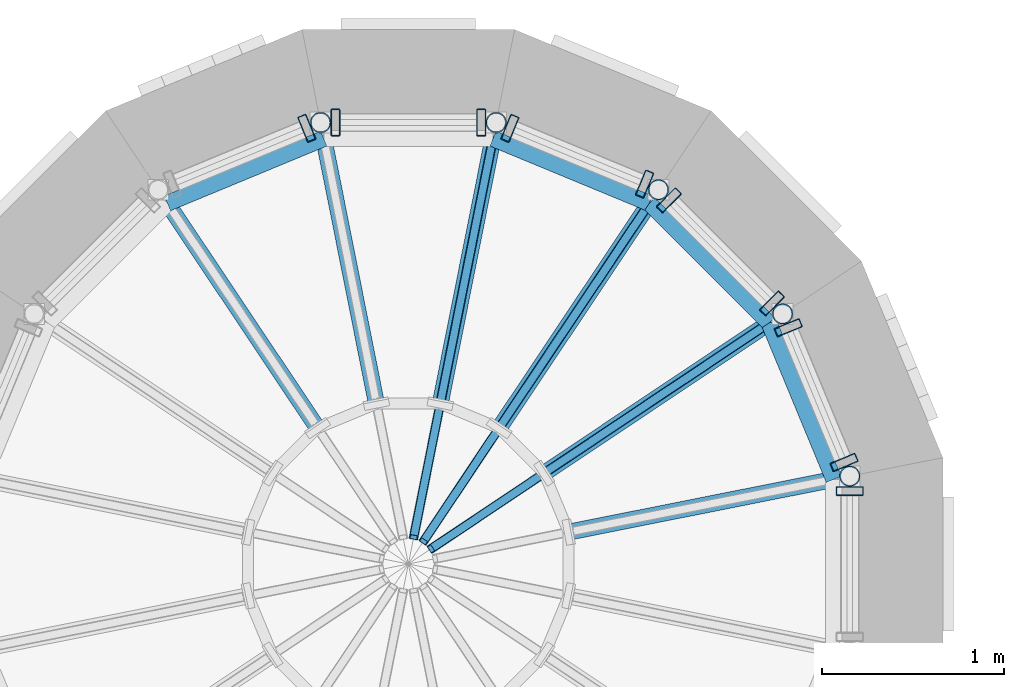
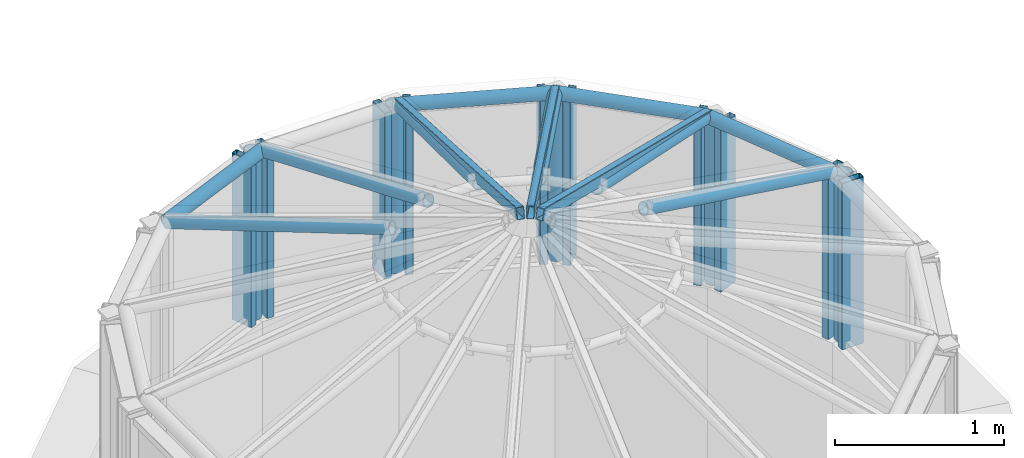
# One storey, part 5 of 36: 28 members, 6 elements without a shape of their own.
"""IFC4 building model written with IfcOpenShell, lengths in metres."""

import ifcopenshell
import ifcopenshell.guid

model = None  # the IFC model being written
_history = None  # IfcOwnerHistory: only IFC2X3 demands one
_inside = {}  # id of a spatial element -> (the spatial element, [elements in it])
_under = {}  # id of a project, library or spatial element -> (it, [spatial elements below it])
_declared = {}  # id of a project -> (the project, [libraries it declares])
_typed = {}  # id of a type object -> (the type object, [elements of that type])
_made_of = {}  # id of a material, layer set ... -> (it, [elements and type objects made of it])


def new_model(schema):
    """Start an empty IFC model of exactly this schema.

    Asked for "IFC4X3", IfcOpenShell would pick the latest addendum, in which some entities
    have other attributes; the version numbers below select the first issue.
    IFC2X3 requires an IfcOwnerHistory on every rooted entity: one is made here for all.
    """
    global model, _history
    if schema == "IFC4X3":
        model = ifcopenshell.file(schema_version=(4, 3, 0, 0))
    else:
        model = ifcopenshell.file(schema=schema)
    _inside.clear()
    _under.clear()
    _declared.clear()
    _typed.clear()
    _made_of.clear()
    _history = None
    if model.schema == "IFC2X3":
        org = make("IfcOrganization", Name="unknown")
        user = make(
            "IfcPersonAndOrganization",
            ThePerson=make("IfcPerson", FamilyName="unknown"),
            TheOrganization=org,
        )
        app = make(
            "IfcApplication",
            ApplicationDeveloper=org,
            Version="unknown",
            ApplicationFullName="unknown",
            ApplicationIdentifier="unknown",
        )
        _history = make(
            "IfcOwnerHistory",
            OwningUser=user,
            OwningApplication=app,
            ChangeAction="ADDED",
            CreationDate=0,
        )
    return model


def make(cls, **values):
    """One entity of the class cls with the attributes given. An attribute that is None is left unset."""
    return model.create_entity(
        cls, **{name: value for name, value in values.items() if value is not None}
    )


def rooted(cls, **values):
    """An entity with a GlobalId (a new one), such as an element, a storey or a relation."""
    return make(cls, GlobalId=ifcopenshell.guid.new(), OwnerHistory=_history, **values)


def si_unit(unit_type, name, prefix=None):
    """IfcSIUnit, for example si_unit("LENGTHUNIT", "METRE", prefix="MILLI")."""
    return make("IfcSIUnit", UnitType=unit_type, Prefix=prefix, Name=name)


def assignment(units):
    """IfcUnitAssignment: the units of a project."""
    return None if units is None else make("IfcUnitAssignment", Units=units)


def point(xyz):
    """IfcCartesianPoint."""
    return None if xyz is None else make("IfcCartesianPoint", Coordinates=xyz)


def direction(xyz):
    """IfcDirection."""
    return None if xyz is None else make("IfcDirection", DirectionRatios=xyz)


def frame(location, z_axis=None, x_axis=None):
    """IfcAxis2Placement3D, a coordinate frame: its origin and axes. An axis left out is left unset."""
    return make(
        "IfcAxis2Placement3D",
        Location=point(location),
        Axis=direction(z_axis),
        RefDirection=direction(x_axis),
    )


def frame_2d(location, x_axis=None):
    """IfcAxis2Placement2D, a coordinate frame in the plane: its origin and x axis."""
    return make(
        "IfcAxis2Placement2D", Location=point(location), RefDirection=direction(x_axis)
    )


def origin():
    """The frame at (0, 0, 0) with its axes left unset."""
    return frame((0.0, 0.0, 0.0))


def origin_2d():
    """The frame at (0, 0) in the plane with its x axis left unset."""
    return frame_2d((0.0, 0.0))


def place(relative_to, where):
    """IfcLocalPlacement: puts the frame where relative to a parent placement (None: the world)."""
    return make(
        "IfcLocalPlacement", PlacementRelTo=relative_to, RelativePlacement=where
    )


def context(
    kind, dimensions, precision=None, world=None, true_north=None, identifier=None
):
    """IfcGeometricRepresentationContext, for example the 3D "Model" context."""
    return make(
        "IfcGeometricRepresentationContext",
        ContextIdentifier=identifier,
        ContextType=kind,
        CoordinateSpaceDimension=dimensions,
        Precision=precision,
        WorldCoordinateSystem=world,
        TrueNorth=true_north,
    )


def subcontext(parent, identifier, kind, view, scale=None):
    """IfcGeometricRepresentationSubContext, for example "Body" below "Model"."""
    return make(
        "IfcGeometricRepresentationSubContext",
        ContextIdentifier=identifier,
        ContextType=kind,
        ParentContext=parent,
        TargetScale=scale,
        TargetView=view,
    )


def project(units=None, contexts=None):
    """IfcProject with its units and contexts."""
    return rooted(
        "IfcProject",
        Name="project",
        RepresentationContexts=contexts,
        UnitsInContext=assignment(units),
    )


def spatial(cls, under=None, at=None, **own):
    """A site, building, storey or space (cls), placed at a placement, below another one or the project."""
    s = rooted(cls, ObjectPlacement=at, **own)
    if under is not None:
        _under.setdefault(under.id(), (under, []))[1].append(s)
    return s


def profile(cls, at=None, kind="AREA", **sizes):
    """A parametric profile (cls). Its sizes go by their IFC names, for example OverallWidth=200.0."""
    return make(cls, ProfileType=kind, Position=at, **sizes)


def hollow_rectangle(**sizes):
    """IfcRectangleHollowProfileDef."""
    return profile("IfcRectangleHollowProfileDef", **sizes)


def hollow_circle(**sizes):
    """IfcCircleHollowProfileDef."""
    return profile("IfcCircleHollowProfileDef", **sizes)


def extrude(swept, where, along, depth):
    """IfcExtrudedAreaSolid: the profile swept, set in the frame where, extruded along a direction by depth."""
    return make(
        "IfcExtrudedAreaSolid",
        SweptArea=swept,
        Position=where,
        ExtrudedDirection=direction(along),
        Depth=depth,
    )


def shape(context_of_items, identifier, shape_type, items):
    """IfcShapeRepresentation: the items that make up one representation, for example the "Body"."""
    return make(
        "IfcShapeRepresentation",
        ContextOfItems=context_of_items,
        RepresentationIdentifier=identifier,
        RepresentationType=shape_type,
        Items=items,
    )


def material(Name=None, Category=None):
    """IfcMaterial."""
    return make("IfcMaterial", Name=Name, Category=Category)


def material_profile(
    of_material, cross_section, Name=None, Category=None, Priority=None
):
    """IfcMaterialProfile: a cross section and its material."""
    return make(
        "IfcMaterialProfile",
        Name=Name,
        Material=of_material,
        Profile=cross_section,
        Priority=Priority,
        Category=Category,
    )


def profile_set(profiles, Name=None, composite=None):
    """IfcMaterialProfileSet."""
    return make(
        "IfcMaterialProfileSet",
        Name=Name,
        MaterialProfiles=profiles,
        CompositeProfile=composite,
    )


def made_of(thing, what):
    """Note that an element or type object is made of a material, layer set ...; save() writes the relation."""
    if what is not None:
        _made_of.setdefault(what.id(), (what, []))[1].append(thing)
    return thing


def type_object(cls, material=None, **own):
    """A type object (cls), such as IfcWallType, which elements share."""
    return made_of(rooted(cls, **own), material)


def element(
    cls,
    number,
    at=None,
    inside=None,
    cuts=None,
    type_object=None,
    material=None,
    context=None,
    identifier="Body",
    shape_type=None,
    held_by="IfcProductDefinitionShape",
    body=None,
    shapes=None,
    **own,
):
    """One element of the class cls, such as IfcWall. Its Tag is "e" and its number.

    at: its placement. inside: the storey or other place that contains it. cuts: it is an
    opening in that element (IfcRelVoidsElement). A single representation is given by context,
    identifier, shape_type and body (its items); several are given by shapes. held_by: the class
    of the entity that holds the representations. save() writes the other relations.
    """
    e = rooted(cls, Tag="e%d" % number, ObjectPlacement=at, **own)
    if body is not None:
        shapes = [shape(context, identifier, shape_type, body)]
    if shapes is not None:
        e.Representation = make(held_by, Representations=shapes)
    if inside is not None:
        _inside.setdefault(inside.id(), (inside, []))[1].append(e)
    if cuts is not None:
        rooted(
            "IfcRelVoidsElement", RelatingBuildingElement=cuts, RelatedOpeningElement=e
        )
    if type_object is not None:
        _typed.setdefault(type_object.id(), (type_object, []))[1].append(e)
    return made_of(e, material)


def aggregate(whole, parts):
    """IfcRelAggregates: a whole, such as a stair, and the parts it consists of."""
    return rooted("IfcRelAggregates", RelatingObject=whole, RelatedObjects=parts)


def save(model, path):
    """Write the relations noted so far, then the file.

    IfcRelAggregates (storeys below a building ...), IfcRelContainedInSpatialStructure (elements
    in a storey), IfcRelDefinesByType, IfcRelAssociatesMaterial and IfcRelDeclares: one each for
    every whole, place, type object, material and project.
    """
    for whole, parts in _under.values():
        aggregate(whole, parts)
    for where, things in _inside.values():
        rooted(
            "IfcRelContainedInSpatialStructure",
            RelatedElements=things,
            RelatingStructure=where,
        )
    for kind, things in _typed.values():
        rooted("IfcRelDefinesByType", RelatedObjects=things, RelatingType=kind)
    for what, things in _made_of.values():
        rooted("IfcRelAssociatesMaterial", RelatedObjects=things, RelatingMaterial=what)
    for by, libraries in _declared.values():
        rooted("IfcRelDeclares", RelatingContext=by, RelatedDefinitions=libraries)
    model.write(path)


model = new_model("IFC4")

# Units and contexts
model_context = context("Model", 3, precision=1e-05, world=origin(), true_north=direction((0.0, 1.0)))
body_context = subcontext(model_context, "Body", "Model", "MODEL_VIEW")
ifc_project = project(units=[si_unit("LENGTHUNIT", "METRE"), si_unit("AREAUNIT", "SQUARE_METRE"), si_unit("VOLUMEUNIT", "CUBIC_METRE"), si_unit("PLANEANGLEUNIT", "RADIAN"), si_unit("MASSUNIT", "GRAM", prefix="KILO")], contexts=[model_context])

# Site, building, storey
site_placement = place(None, origin())
site = spatial("IfcSite", under=ifc_project, at=site_placement, CompositionType="ELEMENT")
building_placement = place(site_placement, origin())
building = spatial("IfcBuilding", under=site, at=building_placement, Name="Sun Court Science Centre", CompositionType="ELEMENT")
storey_placement = place(building_placement, frame((0.0, 0.0, 24.75)))
storey = spatial("IfcBuildingStorey", under=building, at=storey_placement, Name="L05", CompositionType="ELEMENT", Elevation=24.75)

# Curtain wall, members
ifc_material_1 = material(Name="Aluminium EN AW-6063 T6", Category="aluminium")
curtain_wall_type = type_object("IfcCurtainWallType", Name="Lantern clerestory curtain wall 1500", PredefinedType="NOTDEFINED", material=ifc_material_1)
curtain_wall_1_placement = place(storey_placement, origin())
curtain_wall_1 = element("IfcCurtainWall", 1, at=curtain_wall_1_placement, inside=storey, type_object=curtain_wall_type, Name="Curtain wall V2 C4 clerestory L05 01", PredefinedType="NOTDEFINED")
ifc_material_2 = material(Name="Aluminium EN AW-6063 T6", Category="aluminium")
ifc_material_profile_1 = material_profile(ifc_material_2, hollow_rectangle(XDim=0.050048828125, YDim=0.14990234375, WallThickness=0.00390625, InnerFilletRadius=0.00390625, OuterFilletRadius=0.006103515625, at=origin_2d()), Name="AL 50x150x4")
ifc_profile_set_1 = profile_set([ifc_material_profile_1], Name="Aluminium EN AW-6063 T6")
member_type_1 = type_object("IfcMemberType", Name="Curtain wall mullion AL 50x150", PredefinedType="MULLION", material=ifc_profile_set_1)
member_1_placement = place(storey_placement, frame((44.399169921875, 24.75927734375, 1.75), z_axis=(0.0, 0.0, 1.0), x_axis=(0.382683432365, -0.923879532511, 0.0)))
member_1 = element("IfcMember", 2, at=member_1_placement, type_object=member_type_1, Name="CW4-49 mullion 2", PredefinedType="MULLION", context=body_context, shape_type="SweptSolid", body=[
    extrude(hollow_rectangle(XDim=0.050048828125, YDim=0.14990234375, WallThickness=0.00390625, InnerFilletRadius=0.00390625, OuterFilletRadius=0.006103515625, at=origin_2d()), origin(), (0.0, 0.0, 1.0), 1.199951171875),
])
member_2_placement = place(storey_placement, frame((44.092041015625, 25.5009765625, 1.75), z_axis=(0.0, 0.0, 1.0), x_axis=(0.382683432365, -0.923879532511, 0.0)))
member_2 = element("IfcMember", 3, at=member_2_placement, type_object=member_type_1, Name="CW4-49 mullion 1", PredefinedType="MULLION", context=body_context, shape_type="SweptSolid", body=[
    extrude(hollow_rectangle(XDim=0.050048828125, YDim=0.14990234375, WallThickness=0.00390625, InnerFilletRadius=0.00390625, OuterFilletRadius=0.006103515625, at=origin_2d()), origin(), (0.0, 0.0, 1.0), 1.199951171875),
])
aggregate(curtain_wall_1, [member_1, member_2])

curtain_wall_2_placement = place(storey_placement, origin())
curtain_wall_2 = element("IfcCurtainWall", 4, at=curtain_wall_2_placement, inside=storey, type_object=curtain_wall_type, Name="Curtain wall V2 C4 clerestory L05 02", PredefinedType="NOTDEFINED")
member_3_placement = place(storey_placement, frame((43.434814453125, 26.202392578125, 1.75), z_axis=(0.0, 0.0, 1.0), x_axis=(0.707106781187, -0.707106781187, 0.0)))
member_3 = element("IfcMember", 5, at=member_3_placement, type_object=member_type_1, Name="CW4-50 mullion 1", PredefinedType="MULLION", context=body_context, shape_type="SweptSolid", body=[
    extrude(hollow_rectangle(XDim=0.050048828125, YDim=0.14990234375, WallThickness=0.00390625, InnerFilletRadius=0.00390625, OuterFilletRadius=0.006103515625, at=origin_2d()), origin(), (0.0, 0.0, 1.0), 1.199951171875),
])
member_4_placement = place(storey_placement, frame((44.00244140625, 25.635009765625, 1.75), z_axis=(0.0, 0.0, 1.0), x_axis=(0.707106781187, -0.707106781187, 0.0)))
member_4 = element("IfcMember", 6, at=member_4_placement, type_object=member_type_1, Name="CW4-50 mullion 2", PredefinedType="MULLION", context=body_context, shape_type="SweptSolid", body=[
    extrude(hollow_rectangle(XDim=0.050048828125, YDim=0.14990234375, WallThickness=0.00390625, InnerFilletRadius=0.00390625, OuterFilletRadius=0.006103515625, at=origin_2d()), origin(), (0.0, 0.0, 1.0), 1.199951171875),
])
aggregate(curtain_wall_2, [member_3, member_4])

curtain_wall_3_placement = place(storey_placement, origin())
curtain_wall_3 = element("IfcCurtainWall", 7, at=curtain_wall_3_placement, inside=storey, type_object=curtain_wall_type, Name="Curtain wall V2 C4 clerestory L05 03", PredefinedType="NOTDEFINED")
member_5_placement = place(storey_placement, frame((42.559326171875, 26.59912109375, 1.75), z_axis=(0.0, 0.0, 1.0), x_axis=(0.923879532511, -0.382683432365, 0.0)))
member_5 = element("IfcMember", 8, at=member_5_placement, type_object=member_type_1, Name="CW4-51 mullion 1", PredefinedType="MULLION", context=body_context, shape_type="SweptSolid", body=[
    extrude(hollow_rectangle(XDim=0.050048828125, YDim=0.14990234375, WallThickness=0.00390625, InnerFilletRadius=0.00390625, OuterFilletRadius=0.006103515625, at=origin_2d()), origin(), (0.0, 0.0, 1.0), 1.199951171875),
])
member_6_placement = place(storey_placement, frame((43.301025390625, 26.2919921875, 1.75), z_axis=(0.0, 0.0, 1.0), x_axis=(0.923879532511, -0.382683432365, 0.0)))
member_6 = element("IfcMember", 9, at=member_6_placement, type_object=member_type_1, Name="CW4-51 mullion 2", PredefinedType="MULLION", context=body_context, shape_type="SweptSolid", body=[
    extrude(hollow_rectangle(XDim=0.050048828125, YDim=0.14990234375, WallThickness=0.00390625, InnerFilletRadius=0.00390625, OuterFilletRadius=0.006103515625, at=origin_2d()), origin(), (0.0, 0.0, 1.0), 1.199951171875),
])
aggregate(curtain_wall_3, [member_5, member_6])

curtain_wall_4_placement = place(storey_placement, origin())
curtain_wall_4 = element("IfcCurtainWall", 10, at=curtain_wall_4_placement, inside=storey, type_object=curtain_wall_type, Name="Curtain wall V2 C4 clerestory L05 04", PredefinedType="NOTDEFINED")
member_7_placement = place(storey_placement, frame((41.5986328125, 26.630615234375, 1.75), z_axis=(0.0, 0.0, 1.0), x_axis=(1.0, 0.0, 0.0)))
member_7 = element("IfcMember", 11, at=member_7_placement, type_object=member_type_1, Name="CW4-52 mullion 1", PredefinedType="MULLION", context=body_context, shape_type="SweptSolid", body=[
    extrude(hollow_rectangle(XDim=0.050048828125, YDim=0.14990234375, WallThickness=0.00390625, InnerFilletRadius=0.00390625, OuterFilletRadius=0.006103515625, at=origin_2d()), origin(), (0.0, 0.0, 1.0), 1.199951171875),
])
member_8_placement = place(storey_placement, frame((42.4013671875, 26.630615234375, 1.75), z_axis=(0.0, 0.0, 1.0), x_axis=(1.0, 0.0, 0.0)))
member_8 = element("IfcMember", 12, at=member_8_placement, type_object=member_type_1, Name="CW4-52 mullion 2", PredefinedType="MULLION", context=body_context, shape_type="SweptSolid", body=[
    extrude(hollow_rectangle(XDim=0.050048828125, YDim=0.14990234375, WallThickness=0.00390625, InnerFilletRadius=0.00390625, OuterFilletRadius=0.006103515625, at=origin_2d()), origin(), (0.0, 0.0, 1.0), 1.199951171875),
])
aggregate(curtain_wall_4, [member_7, member_8])

# Curtain wall, member
curtain_wall_5_placement = place(storey_placement, origin())
curtain_wall_5 = element("IfcCurtainWall", 13, at=curtain_wall_5_placement, inside=storey, type_object=curtain_wall_type, Name="Curtain wall V2 C4 clerestory L05 05", PredefinedType="NOTDEFINED")
member_9_placement = place(storey_placement, frame((41.440673828125, 26.59912109375, 1.75), z_axis=(0.0, 0.0, 1.0), x_axis=(0.923879532511, 0.382683432365, 0.0)))
member_9 = element("IfcMember", 14, at=member_9_placement, type_object=member_type_1, Name="CW4-53 mullion 2", PredefinedType="MULLION", context=body_context, shape_type="SweptSolid", body=[
    extrude(hollow_rectangle(XDim=0.050048828125, YDim=0.14990234375, WallThickness=0.00390625, InnerFilletRadius=0.00390625, OuterFilletRadius=0.006103515625, at=origin_2d()), origin(), (0.0, 0.0, 1.0), 1.199951171875),
])
aggregate(curtain_wall_5, [member_9])

curtain_wall_6_placement = place(storey_placement, origin())
curtain_wall_6 = element("IfcCurtainWall", 15, at=curtain_wall_6_placement, inside=storey, type_object=curtain_wall_type, Name="Curtain wall V2 C4 clerestory L05 16", PredefinedType="NOTDEFINED")
member_10_placement = place(storey_placement, frame((44.4306640625, 24.601318359375, 1.75), z_axis=(0.0, 0.0, 1.0), x_axis=(0.0, -1.0, 0.0)))
member_10 = element("IfcMember", 16, at=member_10_placement, type_object=member_type_1, Name="CW4-64 mullion 1", PredefinedType="MULLION", context=body_context, shape_type="SweptSolid", body=[
    extrude(hollow_rectangle(XDim=0.050048828125, YDim=0.14990234375, WallThickness=0.00390625, InnerFilletRadius=0.00390625, OuterFilletRadius=0.006103515625, at=origin_2d()), origin(), (0.0, 0.0, 1.0), 1.199951171875),
])
aggregate(curtain_wall_6, [member_10])

# Members
ifc_material_3 = material(Name="Aluminium EN AW-6063 T6", Category="aluminium")
ifc_material_profile_2 = material_profile(ifc_material_3, hollow_rectangle(XDim=0.050048828125, YDim=0.080078125, WallThickness=0.00390625, InnerFilletRadius=0.00390625, OuterFilletRadius=0.006103515625, at=origin_2d()), Name="AL 50x80x4")
ifc_profile_set_2 = profile_set([ifc_material_profile_2], Name="Aluminium EN AW-6063 T6")
member_type_2 = type_object("IfcMemberType", Name="Glazing bar AL 50x80", PredefinedType="USERDEFINED", material=ifc_profile_set_2)
member_11_placement = place(storey_placement, frame((43.98583984375, 25.52685546875, 3.0), z_axis=(-0.794381475966, -0.53073394426, 0.295431127425), x_axis=(0.555530585235, -0.831496102738, 0.0)))
element("IfcMember", 17, at=member_11_placement, inside=storey, type_object=member_type_2, Name="Lantern glazing bar cone 4 02", ObjectType="Glazing bar", PredefinedType="USERDEFINED", context=body_context, shape_type="SweptSolid", body=[
    extrude(hollow_rectangle(XDim=0.050048828125, YDim=0.080078125, WallThickness=0.00390625, InnerFilletRadius=0.00390625, OuterFilletRadius=0.006103515625, at=origin_2d()), origin(), (0.0, 0.0, 1.0), 2.3427734375),
])
member_12_placement = place(storey_placement, frame((43.326904296875, 26.185791015625, 3.0), z_axis=(-0.530808793262, -0.794337540447, 0.295414787769), x_axis=(0.831445717229, -0.555605992859, 0.0)))
element("IfcMember", 18, at=member_12_placement, inside=storey, type_object=member_type_2, Name="Lantern glazing bar cone 4 03", ObjectType="Glazing bar", PredefinedType="USERDEFINED", context=body_context, shape_type="SweptSolid", body=[
    extrude(hollow_rectangle(XDim=0.050048828125, YDim=0.080078125, WallThickness=0.00390625, InnerFilletRadius=0.00390625, OuterFilletRadius=0.006103515625, at=origin_2d()), origin(), (0.0, 0.0, 1.0), 2.343017578125),
])
member_13_placement = place(storey_placement, frame((42.4658203125, 26.542236328125, 3.0), z_axis=(-0.186338732193, -0.937008691916, 0.295453191145), x_axis=(0.980794068817, -0.195046134473, 0.0)))
element("IfcMember", 19, at=member_13_placement, inside=storey, type_object=member_type_2, Name="Lantern glazing bar cone 4 04", ObjectType="Glazing bar", PredefinedType="USERDEFINED", context=body_context, shape_type="SweptSolid", body=[
    extrude(hollow_rectangle(XDim=0.050048828125, YDim=0.080078125, WallThickness=0.00390625, InnerFilletRadius=0.00390625, OuterFilletRadius=0.006103515625, at=origin_2d()), origin(), (0.0, 0.0, 1.0), 2.342529296875),
])
ifc_material_4 = material(Name="Steel S355", Category="steel")
ifc_material_profile_3 = material_profile(ifc_material_4, hollow_circle(Radius=0.04443359375, WallThickness=0.0048828125, at=origin_2d()), Name="CHS 88.9x5")
ifc_profile_set_3 = profile_set([ifc_material_profile_3], Name="Steel S355")
member_type_3 = type_object("IfcMemberType", Name="Lantern base ring CHS 88.9x5", PredefinedType="CHORD", material=ifc_profile_set_3)
member_14_placement = place(storey_placement, frame((44.34228515625, 24.666015625, 2.994384765625), z_axis=(-0.38256779302, 0.923927423418, 0.0), x_axis=(-0.923927423418, -0.38256779302, 0.0)))
element("IfcMember", 20, at=member_14_placement, inside=storey, type_object=member_type_3, Name="Cone 4 lantern base ring 1", PredefinedType="CHORD", context=body_context, shape_type="SweptSolid", body=[
    extrude(hollow_circle(Radius=0.04443359375, WallThickness=0.0048828125, at=origin_2d()), origin(), (0.0, 0.0, 1.0), 0.931640625),
])
for number, where, z_axis, x_axis, name in (
    (21, (43.98583984375, 25.52685546875, 2.994384765625), (-0.707106781187, 0.707106781187, 0.0), (-0.707106781187, -0.707106781187, 0.0), "Cone 4 lantern base ring 2"),
    (22, (43.326904296875, 26.185791015625, 2.994384765625), (-0.923965760113, 0.382475194149, 0.0), (-0.382475194149, -0.923965760113, 0.0), "Cone 4 lantern base ring 3"),
    (23, (41.5341796875, 26.542236328125, 2.994384765625), (-0.923965760113, -0.382475194149, 0.0), (0.382475194149, -0.923965760113, 0.0), "Cone 4 lantern base ring 5"),
):
    element("IfcMember", number, at=place(storey_placement, frame(where, z_axis=z_axis, x_axis=x_axis)), inside=storey, type_object=member_type_3, Name=name, PredefinedType="CHORD", context=body_context, shape_type="SweptSolid", body=[
        extrude(hollow_circle(Radius=0.04443359375, WallThickness=0.0048828125, at=origin_2d()), origin(), (0.0, 0.0, 1.0), 0.931884765625),
    ])
ifc_material_5 = material(Name="Steel S355", Category="steel")
ifc_material_profile_4 = material_profile(ifc_material_5, hollow_circle(Radius=0.05712890625, WallThickness=0.00634765625, at=origin_2d()), Name="CHS 114.3x6.3")
ifc_profile_set_4 = profile_set([ifc_material_profile_4], Name="Steel S355")
member_type_4 = type_object("IfcMemberType", Name="Lantern post CHS 114.3x6.3", PredefinedType="POST", material=ifc_profile_set_4)
for number, where, z_axis, x_axis, name in (
    (24, (44.4306640625, 24.68359375, 1.75), (0.0, 0.0, 1.0), (1.0, 0.0, 0.0), "Cone 4 clerestory post 1"),
    (25, (44.060546875, 25.576904296875, 1.75), (0.0, 0.0, 1.0), (1.0, 0.0, 0.0), "Cone 4 clerestory post 2"),
    (26, (43.376953125, 26.260498046875, 1.75), (0.0, 0.0, 1.0), (1.0, 0.0, 0.0), "Cone 4 clerestory post 3"),
    (27, (42.4833984375, 26.630615234375, 1.75), (0.0, 0.0, 1.0), (1.0, 0.0, 0.0), "Cone 4 clerestory post 4"),
    (28, (41.5166015625, 26.630615234375, 1.75), (0.0, 0.0, 1.0), (1.0, 0.0, 0.0), "Cone 4 clerestory post 5"),
):
    element("IfcMember", number, at=place(storey_placement, frame(where, z_axis=z_axis, x_axis=x_axis)), inside=storey, type_object=member_type_4, Name=name, PredefinedType="POST", context=body_context, shape_type="SweptSolid", body=[
        extrude(hollow_circle(Radius=0.05712890625, WallThickness=0.00634765625, at=origin_2d()), origin(), (0.0, 0.0, 1.0), 1.199951171875),
    ])
ifc_material_6 = material(Name="Steel S355", Category="steel")
ifc_material_profile_5 = material_profile(ifc_material_6, hollow_circle(Radius=0.04443359375, WallThickness=0.0048828125, at=origin_2d()), Name="CHS 88.9x5")
ifc_profile_set_5 = profile_set([ifc_material_profile_5], Name="Steel S355")
member_type_5 = type_object("IfcMemberType", Name="Lantern rafter CHS 88.9x5", PredefinedType="RAFTER", material=ifc_profile_set_5)
member_15_placement = place(storey_placement, frame((44.34228515625, 24.666015625, 2.994384765625), z_axis=(-0.944581656921, -0.188031477373, 0.269090425182), x_axis=(0.195232649896, -0.980756958892, 0.0)))
element("IfcMember", 29, at=member_15_placement, inside=storey, type_object=member_type_5, Name="Cone 4 lantern rafter 1", PredefinedType="RAFTER", context=body_context, shape_type="SweptSolid", body=[
    extrude(hollow_circle(Radius=0.04443359375, WallThickness=0.0048828125, at=origin_2d()), origin(), (0.0, 0.0, 1.0), 1.545166015625),
])
for number, where, z_axis, x_axis, name in (
    (30, (43.98583984375, 25.52685546875, 2.994384765625), (-0.80081148443, -0.535085519385, 0.269043590054), (0.555570514751, -0.831469424055, 0.0), "Cone 4 lantern rafter 2"),
    (31, (43.326904296875, 26.185791015625, 2.994384765625), (-0.535085519385, -0.80081148443, 0.269043590054), (0.831469424055, -0.555570514751, 0.0), "Cone 4 lantern rafter 3"),
):
    element("IfcMember", number, at=place(storey_placement, frame(where, z_axis=z_axis, x_axis=x_axis)), inside=storey, type_object=member_type_5, Name=name, PredefinedType="RAFTER", context=body_context, shape_type="SweptSolid", body=[
        extrude(hollow_circle(Radius=0.04443359375, WallThickness=0.0048828125, at=origin_2d()), origin(), (0.0, 0.0, 1.0), 1.54541015625),
    ])
for number, where, z_axis, x_axis, name in (
    (32, (42.4658203125, 26.542236328125, 2.994384765625), (-0.1878790475, -0.944609710644, 0.269098417067), (0.980788360918, -0.195074834582, 0.0), "Cone 4 lantern rafter 4"),
    (33, (41.5341796875, 26.542236328125, 2.994384765625), (0.1878790475, -0.944609710644, 0.269098417067), (0.980788360918, 0.195074834582, 0.0), "Cone 4 lantern rafter 5"),
):
    element("IfcMember", number, at=place(storey_placement, frame(where, z_axis=z_axis, x_axis=x_axis)), inside=storey, type_object=member_type_5, Name=name, PredefinedType="RAFTER", context=body_context, shape_type="SweptSolid", body=[
        extrude(hollow_circle(Radius=0.04443359375, WallThickness=0.0048828125, at=origin_2d()), origin(), (0.0, 0.0, 1.0), 1.545166015625),
    ])
member_16_placement = place(storey_placement, frame((40.673095703125, 26.185791015625, 2.994384765625), z_axis=(0.535085519385, -0.80081148443, 0.269043590054), x_axis=(0.831469424055, 0.555570514751, 0.0)))
element("IfcMember", 34, at=member_16_placement, inside=storey, type_object=member_type_5, Name="Cone 4 lantern rafter 6", PredefinedType="RAFTER", context=body_context, shape_type="SweptSolid", body=[
    extrude(hollow_circle(Radius=0.04443359375, WallThickness=0.0048828125, at=origin_2d()), origin(), (0.0, 0.0, 1.0), 1.54541015625),
])

save(model, "model.ifc")
